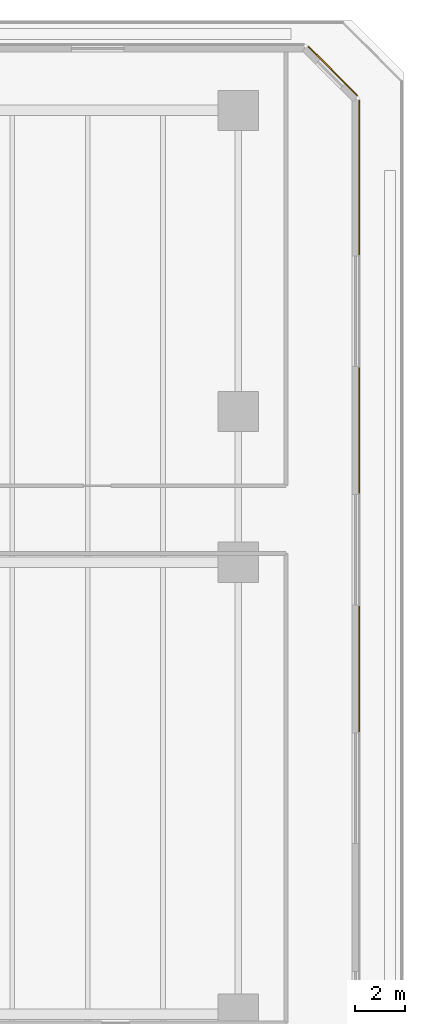
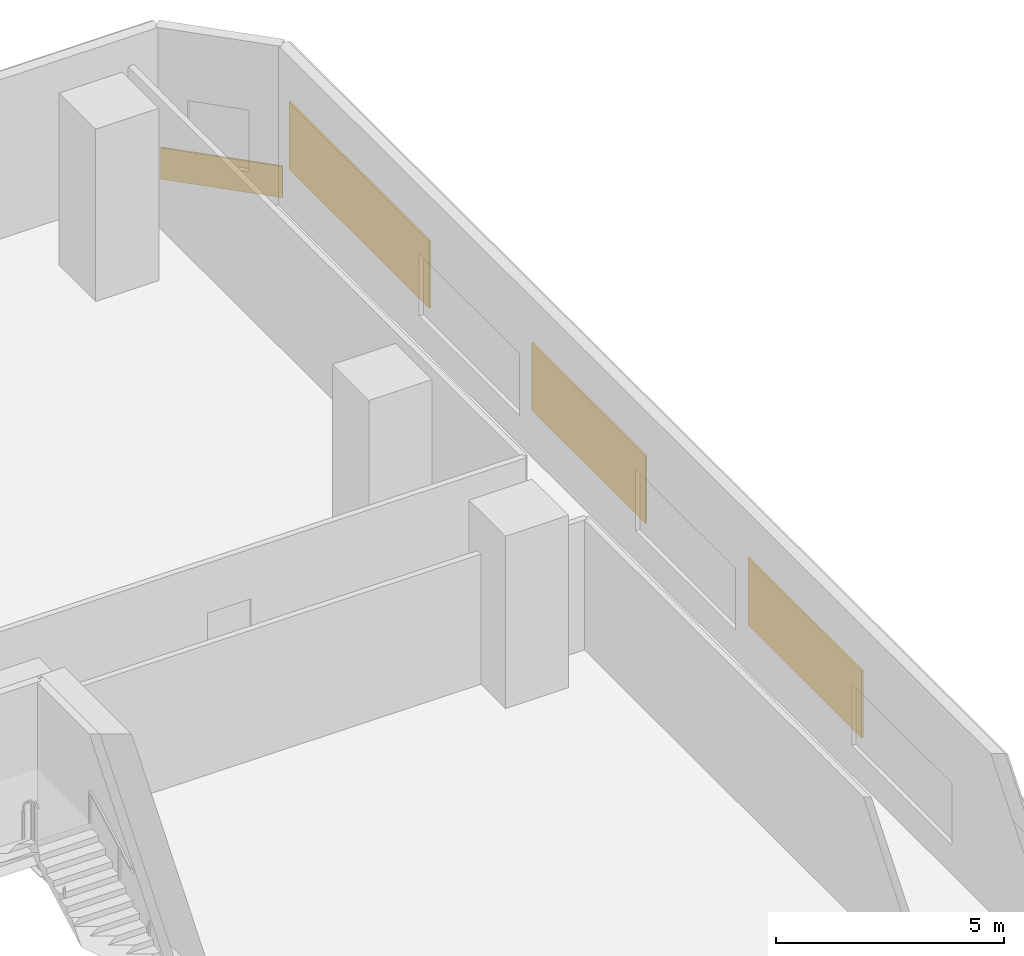
# One storey, part 27 of 27: 4 coverings.
"""IFC4 building model written with IfcOpenShell, lengths in metres."""

from ifc_helpers import new_model, si_unit, direction, frame, origin, origin_2d, place, context, subcontext, project, spatial, rectangle, extrude, material, layer, layer_set, type_object, element, save


model = new_model("IFC4")

# Units and contexts
model_context = context("Model", 3, precision=1e-05, world=origin(), true_north=direction((0.0, 1.0)))
body_context = subcontext(model_context, "Body", "Model", "MODEL_VIEW")
ifc_project = project(units=[si_unit("LENGTHUNIT", "METRE"), si_unit("AREAUNIT", "SQUARE_METRE"), si_unit("VOLUMEUNIT", "CUBIC_METRE"), si_unit("PLANEANGLEUNIT", "RADIAN"), si_unit("MASSUNIT", "GRAM", prefix="KILO")], contexts=[model_context])

# Site, building, storey
site_placement = place(None, origin())
site = spatial("IfcSite", under=ifc_project, at=site_placement, CompositionType="ELEMENT")
building_placement = place(site_placement, origin())
building = spatial("IfcBuilding", under=site, at=building_placement, Name="Tanjung Sevakor Pilgrim Tower", CompositionType="ELEMENT")
storey_placement = place(building_placement, frame((0.0, 0.0, 19.469970703125)))
storey = spatial("IfcBuildingStorey", under=building, at=storey_placement, Name="L05", CompositionType="ELEMENT", Elevation=19.469970703125)

# Coverings
ifc_material = material(Name="Reconstructed Limestone Cladding", Category="masonry")
ifc_layer = layer(ifc_material, 0.044921875)
ifc_layer_set = layer_set([ifc_layer], Name="COV-CLAD-LIMESTONE")
covering_type = type_object("IfcCoveringType", Name="COV-CLAD-LIMESTONE", PredefinedType="CLADDING", material=ifc_layer_set)
for number, where, z_axis, x_axis, name in (
    (1, (106.822509765625, 38.35009765625, 0.85009765625), (0.0, 0.0, 1.0), (0.0, 1.0, 0.0), "L05 Warm Limestone Pier Panel EW-L05-MAIN-3-4"),
    (2, (106.822509765625, 47.85009765625, 0.85009765625), (0.0, 0.0, 1.0), (0.0, 1.0, 0.0), "L05 Warm Limestone Pier Panel EW-L05-MAIN-3-5"),
):
    element("IfcCovering", number, at=place(storey_placement, frame(where, z_axis=z_axis, x_axis=x_axis)), inside=storey, type_object=covering_type, Name=name, PredefinedType="CLADDING", context=body_context, shape_type="SweptSolid", body=[
        extrude(rectangle(XDim=5.0, YDim=0.044921875, at=origin_2d()), origin(), (0.0, 0.0, 1.0), 1.81005859375),
    ])
covering_1_placement = place(storey_placement, frame((106.822509765625, 57.926025390625, 0.85009765625), z_axis=(0.0, 0.0, 1.0), x_axis=(0.0, 1.0, 0.0)))
element("IfcCovering", 3, at=covering_1_placement, inside=storey, type_object=covering_type, Name="L05 Warm Limestone Pier Panel EW-L05-MAIN-3-6", PredefinedType="CLADDING", context=body_context, shape_type="SweptSolid", body=[
    extrude(rectangle(XDim=6.152099609375, YDim=0.044921875, at=origin_2d()), origin(), (0.0, 0.0, 1.0), 1.81005859375),
])
covering_2_placement = place(storey_placement, frame((105.765869140625, 62.166015625, 0.009765625), z_axis=(0.0, 0.0, 1.0), x_axis=(-0.707106781187, 0.707106781187, 0.0)))
element("IfcCovering", 4, at=covering_2_placement, inside=storey, type_object=covering_type, Name="L05 Warm Limestone Sill Spandrel EW-L05-MAIN-4-1", PredefinedType="CLADDING", context=body_context, shape_type="SweptSolid", body=[
    extrude(rectangle(XDim=2.77392578125, YDim=0.044921875, at=origin_2d()), origin(), (0.0, 0.0, 1.0), 0.840087890625),
])

save(model, "model.ifc")
